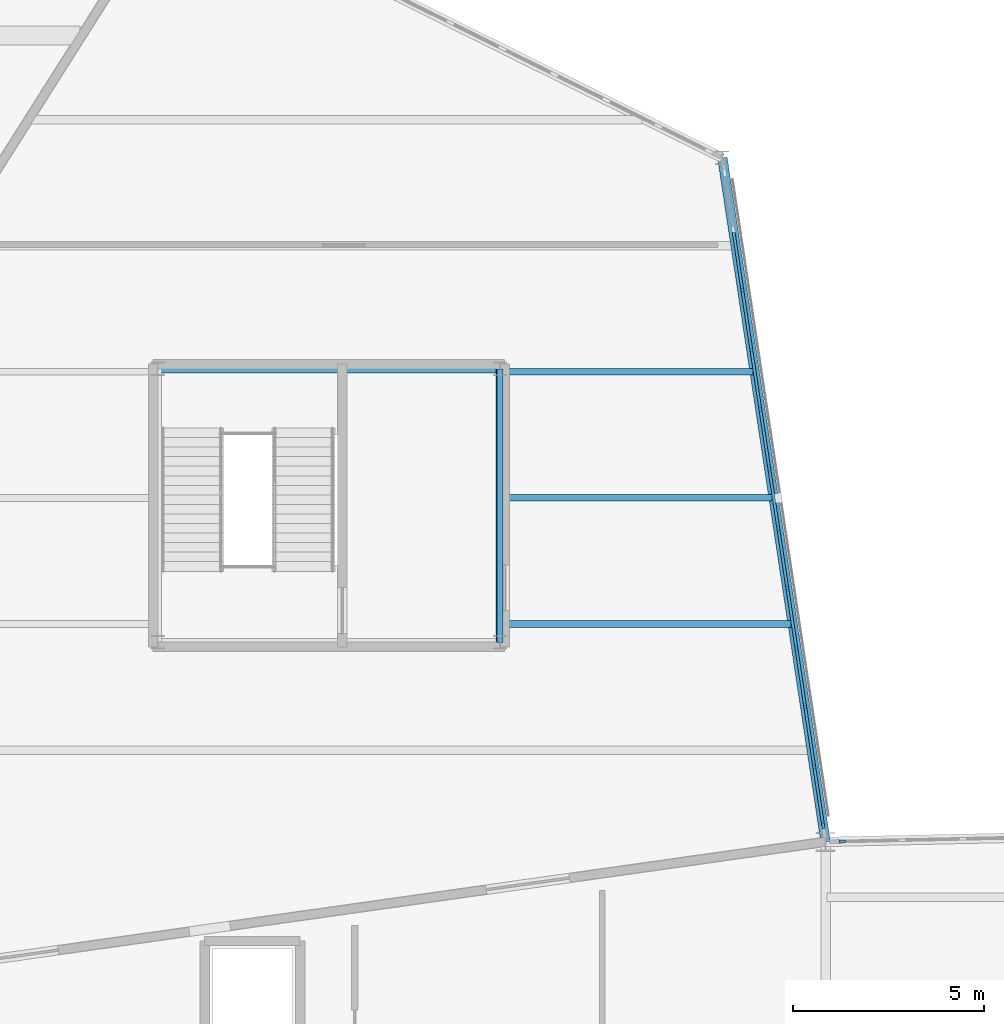
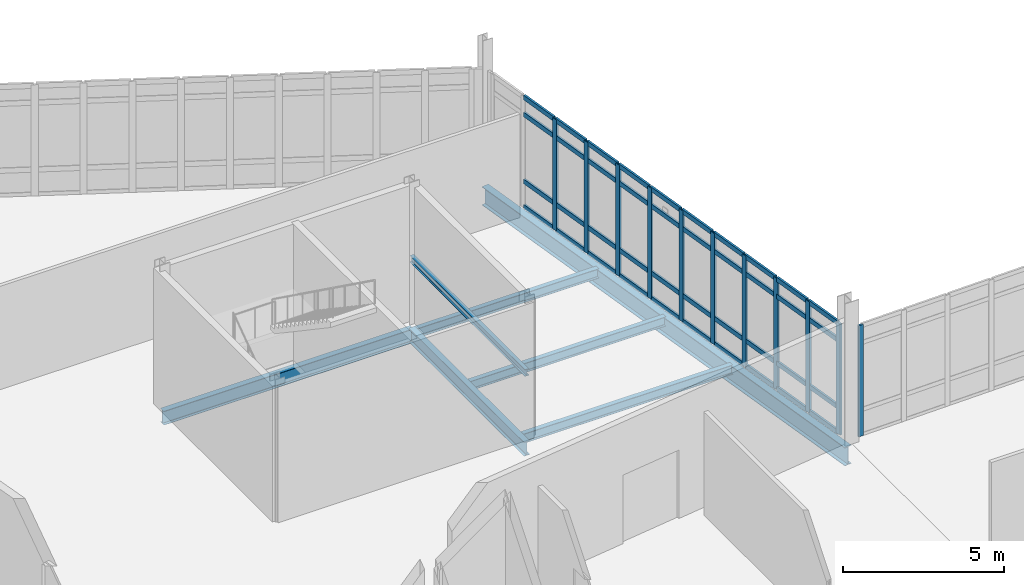
# One storey, part 38 of 113: 51 members, 7 beams, 2 elements without a shape of their own.
"""IFC4 building model written with IfcOpenShell, lengths in metres."""

from ifc_helpers import new_model, si_unit, direction, frame, origin, origin_2d, place, context, subcontext, project, spatial, rectangle, i_section, extrude, material, material_profile, profile_set, type_object, element, aggregate, save


model = new_model("IFC4")

# Units and contexts
model_context = context("Model", 3, precision=1e-05, world=origin(), true_north=direction((0.0, 1.0)))
body_context = subcontext(model_context, "Body", "Model", "MODEL_VIEW")
ifc_project = project(units=[si_unit("LENGTHUNIT", "METRE"), si_unit("AREAUNIT", "SQUARE_METRE"), si_unit("VOLUMEUNIT", "CUBIC_METRE"), si_unit("PLANEANGLEUNIT", "RADIAN"), si_unit("MASSUNIT", "GRAM", prefix="KILO")], contexts=[model_context])

# Site, building, storey
site_placement = place(None, origin())
site = spatial("IfcSite", under=ifc_project, at=site_placement, CompositionType="ELEMENT")
building_placement = place(site_placement, origin())
building = spatial("IfcBuilding", under=site, at=building_placement, Name="Tameran Prism Museum", CompositionType="ELEMENT")
storey_placement = place(building_placement, origin())
storey = spatial("IfcBuildingStorey", under=building, at=storey_placement, Name="L00", CompositionType="ELEMENT", Elevation=0.0)

# Beams
ifc_material_1 = material(Name="Steel Grade 300PLUS (300 MPa)", Category="steel")
ifc_material_profile_1 = material_profile(ifc_material_1, i_section(OverallWidth=0.172119140625, OverallDepth=0.35888671875, WebThickness=0.008056640625, FlangeThickness=0.012939453125, FilletRadius=0.011474609375, at=origin_2d()))
ifc_profile_set_1 = profile_set([ifc_material_profile_1])
beam_type_1 = type_object("IfcBeamType", Name="BM-J360A", PredefinedType="JOIST", material=ifc_profile_set_1)
beam_1_placement = place(storey_placement, frame((68.97998046875, 53.89990234375, -0.41943359375), z_axis=(1.0, 0.0, 0.0), x_axis=(0.0, 1.0, 0.0)))
element("IfcBeam", 1, at=beam_1_placement, inside=storey, type_object=beam_type_1, Name="Floor Beam BM-0220", PredefinedType="JOIST", context=body_context, shape_type="SweptSolid", body=[
    extrude(i_section(OverallWidth=0.172119140625, OverallDepth=0.35888671875, WebThickness=0.008056640625, FlangeThickness=0.012939453125, FilletRadius=0.011474609375, at=origin_2d()), origin(), (0.0, 0.0, 1.0), 7.6201171875),
])
beam_2_placement = place(storey_placement, frame((68.97998046875, 60.5, -0.41943359375), z_axis=(1.0, 0.0, 0.0), x_axis=(0.0, 1.0, 0.0)))
element("IfcBeam", 2, at=beam_2_placement, inside=storey, type_object=beam_type_1, Name="Floor Beam BM-0224", PredefinedType="JOIST", context=body_context, shape_type="SweptSolid", body=[
    extrude(i_section(OverallWidth=0.172119140625, OverallDepth=0.35888671875, WebThickness=0.008056640625, FlangeThickness=0.012939453125, FilletRadius=0.011474609375, at=origin_2d()), origin(), (0.0, 0.0, 1.0), 6.6240234375),
])
ifc_material_2 = material(Name="Steel Grade 300PLUS (300 MPa)", Category="steel")
ifc_material_profile_2 = material_profile(ifc_material_2, i_section(OverallWidth=0.1708984375, OverallDepth=0.35595703125, WebThickness=0.00732421875, FlangeThickness=0.011474609375, FilletRadius=0.011474609375, at=origin_2d()))
ifc_profile_set_2 = profile_set([ifc_material_profile_2])
beam_type_2 = type_object("IfcBeamType", Name="BM-J360B", PredefinedType="JOIST", material=ifc_profile_set_2)
beam_3_placement = place(storey_placement, frame((68.97998046875, 57.199951171875, -0.41796875), z_axis=(1.0, 0.0, 0.0), x_axis=(0.0, 1.0, 0.0)))
element("IfcBeam", 3, at=beam_3_placement, inside=storey, type_object=beam_type_2, Name="Floor Beam BM-0222", PredefinedType="JOIST", context=body_context, shape_type="SweptSolid", body=[
    extrude(i_section(OverallWidth=0.1708984375, OverallDepth=0.35595703125, WebThickness=0.00732421875, FlangeThickness=0.011474609375, FilletRadius=0.011474609375, at=origin_2d()), origin(), (0.0, 0.0, 1.0), 7.1220703125),
])
ifc_material_3 = material(Name="Steel Grade 300PLUS (300 MPa)", Category="steel")
ifc_material_profile_3 = material_profile(ifc_material_3, i_section(OverallWidth=0.14599609375, OverallDepth=0.256103515625, WebThickness=0.00634765625, FlangeThickness=0.010986328125, FilletRadius=0.0087890625, at=origin_2d()))
ifc_profile_set_3 = profile_set([ifc_material_profile_3])
beam_type_3 = type_object("IfcBeamType", Name="BM-L250", PredefinedType="LINTEL", material=ifc_profile_set_3)
beam_4_placement = place(storey_placement, frame((68.97998046875, 53.419921875, 2.3798828125), z_axis=(0.0, 1.0, 0.0), x_axis=(-1.0, 0.0, 0.0)))
element("IfcBeam", 4, at=beam_4_placement, inside=storey, type_object=beam_type_3, Name="Core Door Lintel LN-05", PredefinedType="LINTEL", context=body_context, shape_type="SweptSolid", body=[
    extrude(i_section(OverallWidth=0.14599609375, OverallDepth=0.256103515625, WebThickness=0.00634765625, FlangeThickness=0.010986328125, FilletRadius=0.0087890625, at=origin_2d()), origin(), (0.0, 0.0, 1.0), 7.16015625),
])
ifc_material_4 = material(Name="Steel Grade 300PLUS (300 MPa)", Category="steel")
ifc_material_profile_4 = material_profile(ifc_material_4, i_section(OverallWidth=0.208984375, OverallDepth=0.528076171875, WebThickness=0.009521484375, FlangeThickness=0.01318359375, FilletRadius=0.013916015625, at=origin_2d()))
ifc_profile_set_4 = profile_set([ifc_material_profile_4])
beam_type_4 = type_object("IfcBeamType", Name="BM-SP530B", PredefinedType="SPANDREL", material=ifc_profile_set_4)
beam_5_placement = place(storey_placement, frame((68.97998046875, 53.419921875, -0.50390625), z_axis=(0.0, 1.0, 0.0), x_axis=(-1.0, 0.0, 0.0)))
element("IfcBeam", 5, at=beam_5_placement, inside=storey, type_object=beam_type_4, Name="Core Ring Beam CTB-0119", PredefinedType="SPANDREL", context=body_context, shape_type="SweptSolid", body=[
    extrude(i_section(OverallWidth=0.208984375, OverallDepth=0.528076171875, WebThickness=0.009521484375, FlangeThickness=0.01318359375, FilletRadius=0.013916015625, at=origin_2d()), origin(), (0.0, 0.0, 1.0), 7.16015625),
])
beam_6_placement = place(storey_placement, frame((68.97998046875, 60.580078125, -0.50390625), z_axis=(-1.0, 0.0, 0.0), x_axis=(0.0, -1.0, 0.0)))
element("IfcBeam", 6, at=beam_6_placement, inside=storey, type_object=beam_type_4, Name="Core Ring Beam CTB-0120", PredefinedType="SPANDREL", context=body_context, shape_type="SweptSolid", body=[
    extrude(i_section(OverallWidth=0.208984375, OverallDepth=0.528076171875, WebThickness=0.009521484375, FlangeThickness=0.01318359375, FilletRadius=0.013916015625, at=origin_2d()), origin(), (0.0, 0.0, 1.0), 8.9599609375),
])
ifc_material_5 = material(Name="Steel Grade 350 (350 MPa)", Category="steel")
ifc_material_profile_5 = material_profile(ifc_material_5, i_section(OverallWidth=0.25, OverallDepth=0.699951171875, WebThickness=0.010009765625, FlangeThickness=0.02001953125, at=origin_2d()))
ifc_profile_set_5 = profile_set([ifc_material_profile_5])
beam_type_5 = type_object("IfcBeamType", Name="BM-SP700", PredefinedType="SPANDREL", material=ifc_profile_set_5)
beam_7_placement = place(storey_placement, frame((77.5, 48.199951171875, -0.590087890625), z_axis=(-0.149146954301, 0.988815041361, 0.0), x_axis=(-0.988815041361, -0.149146954301, 0.0)))
element("IfcBeam", 7, at=beam_7_placement, inside=storey, type_object=beam_type_5, Name="Perimeter Spandrel SP-0034", PredefinedType="SPANDREL", context=body_context, shape_type="SweptSolid", body=[
    extrude(i_section(OverallWidth=0.25, OverallDepth=0.699951171875, WebThickness=0.010009765625, FlangeThickness=0.02001953125, at=origin_2d()), origin(), (0.0, 0.0, 1.0), 18.1025390625),
])

# Curtain wall, member
ifc_material_6 = material(Name="Anodised Aluminium 6063-T6 and Cyclone Solar Glass", Category="aluminium")
curtain_wall_type_1 = type_object("IfcCurtainWallType", Name="CW-FAC-1754x422", PredefinedType="USERDEFINED", material=ifc_material_6)
curtain_wall_1_placement = place(storey_placement, origin())
curtain_wall_1 = element("IfcCurtainWall", 8, at=curtain_wall_1_placement, inside=storey, type_object=curtain_wall_type_1, Name="Unitised Curtain Wall CW-032", ObjectType="UNITISED CURTAIN WALL", PredefinedType="USERDEFINED")
ifc_material_7 = material(Name="Anodised Aluminium Alloy 6063-T6", Category="aluminium")
ifc_material_profile_6 = material_profile(ifc_material_7, rectangle(XDim=0.070068359375, YDim=0.179931640625, at=origin_2d()))
ifc_profile_set_6 = profile_set([ifc_material_profile_6])
member_type_1 = type_object("IfcMemberType", Name="CW-MUL-B", PredefinedType="MULLION", material=ifc_profile_set_6)
member_1_placement = place(storey_placement, frame((77.945068359375, 48.209716796875, 0.0), z_axis=(0.0, 0.0, 1.0), x_axis=(-0.021830600058, 0.999761684053, 0.0)))
member_1 = element("IfcMember", 9, at=member_1_placement, type_object=member_type_1, Name="CW-032 mullion 1", PredefinedType="MULLION", context=body_context, shape_type="SweptSolid", body=[
    extrude(rectangle(XDim=0.070068359375, YDim=0.179931640625, at=origin_2d()), origin(), (0.0, 0.0, 1.0), 4.219970703125),
])
aggregate(curtain_wall_1, [member_1])

# Curtain wall, members
ifc_material_8 = material(Name="Anodised Aluminium 6063-T6 and Cyclone Solar Glass", Category="aluminium")
curtain_wall_type_2 = type_object("IfcCurtainWallType", Name="CW-FAC-1734x422", PredefinedType="USERDEFINED", material=ifc_material_8)
curtain_wall_2_placement = place(storey_placement, origin())
curtain_wall_2 = element("IfcCurtainWall", 10, at=curtain_wall_2_placement, inside=storey, type_object=curtain_wall_type_2, Name="Unitised Curtain Wall CW-033", ObjectType="UNITISED CURTAIN WALL", PredefinedType="USERDEFINED")
ifc_material_9 = material(Name="Anodised Aluminium Alloy 6063-T6", Category="aluminium")
ifc_material_profile_7 = material_profile(ifc_material_9, rectangle(XDim=0.074951171875, YDim=0.199951171875, at=origin_2d()))
ifc_profile_set_7 = profile_set([ifc_material_profile_7])
member_type_2 = type_object("IfcMemberType", Name="CW-MUL-C", PredefinedType="MULLION", material=ifc_profile_set_7)
member_2_placement = place(storey_placement, frame((75.322265625, 62.635986328125, 0.0), z_axis=(0.0, 0.0, 1.0), x_axis=(0.988812088052, 0.149166532852, 0.0)))
member_2 = element("IfcMember", 11, at=member_2_placement, type_object=member_type_2, Name="CW-033 mullion 3", PredefinedType="MULLION", context=body_context, shape_type="SweptSolid", body=[
    extrude(rectangle(XDim=0.074951171875, YDim=0.199951171875, at=origin_2d()), origin(), (0.0, 0.0, 1.0), 4.219970703125),
])
member_3_placement = place(storey_placement, frame((75.5576171875, 61.076904296875, 0.0), z_axis=(0.0, 0.0, 1.0), x_axis=(0.988812088052, 0.149166532852, 0.0)))
member_3 = element("IfcMember", 12, at=member_3_placement, type_object=member_type_2, Name="CW-033 mullion 4", PredefinedType="MULLION", context=body_context, shape_type="SweptSolid", body=[
    extrude(rectangle(XDim=0.074951171875, YDim=0.199951171875, at=origin_2d()), origin(), (0.0, 0.0, 1.0), 4.219970703125),
])
member_4_placement = place(storey_placement, frame((75.792724609375, 59.51806640625, 0.0), z_axis=(0.0, 0.0, 1.0), x_axis=(0.988812088052, 0.149166532852, 0.0)))
member_4 = element("IfcMember", 13, at=member_4_placement, type_object=member_type_2, Name="CW-033 mullion 5", PredefinedType="MULLION", context=body_context, shape_type="SweptSolid", body=[
    extrude(rectangle(XDim=0.074951171875, YDim=0.199951171875, at=origin_2d()), origin(), (0.0, 0.0, 1.0), 4.219970703125),
])
member_5_placement = place(storey_placement, frame((76.02783203125, 57.958984375, 0.0), z_axis=(0.0, 0.0, 1.0), x_axis=(0.988812088052, 0.149166532852, 0.0)))
member_5 = element("IfcMember", 14, at=member_5_placement, type_object=member_type_2, Name="CW-033 mullion 6", PredefinedType="MULLION", context=body_context, shape_type="SweptSolid", body=[
    extrude(rectangle(XDim=0.074951171875, YDim=0.199951171875, at=origin_2d()), origin(), (0.0, 0.0, 1.0), 4.219970703125),
])
member_6_placement = place(storey_placement, frame((76.26318359375, 56.39990234375, 0.0), z_axis=(0.0, 0.0, 1.0), x_axis=(0.988812088052, 0.149166532852, 0.0)))
member_6 = element("IfcMember", 15, at=member_6_placement, type_object=member_type_2, Name="CW-033 mullion 7", PredefinedType="MULLION", context=body_context, shape_type="SweptSolid", body=[
    extrude(rectangle(XDim=0.074951171875, YDim=0.199951171875, at=origin_2d()), origin(), (0.0, 0.0, 1.0), 4.219970703125),
])
member_7_placement = place(storey_placement, frame((76.498291015625, 54.841064453125, 0.0), z_axis=(0.0, 0.0, 1.0), x_axis=(0.988812088052, 0.149166532852, 0.0)))
member_7 = element("IfcMember", 16, at=member_7_placement, type_object=member_type_2, Name="CW-033 mullion 8", PredefinedType="MULLION", context=body_context, shape_type="SweptSolid", body=[
    extrude(rectangle(XDim=0.074951171875, YDim=0.199951171875, at=origin_2d()), origin(), (0.0, 0.0, 1.0), 4.219970703125),
])
member_8_placement = place(storey_placement, frame((76.7333984375, 53.281982421875, 0.0), z_axis=(0.0, 0.0, 1.0), x_axis=(0.988812088052, 0.149166532852, 0.0)))
member_8 = element("IfcMember", 17, at=member_8_placement, type_object=member_type_2, Name="CW-033 mullion 9", PredefinedType="MULLION", context=body_context, shape_type="SweptSolid", body=[
    extrude(rectangle(XDim=0.074951171875, YDim=0.199951171875, at=origin_2d()), origin(), (0.0, 0.0, 1.0), 4.219970703125),
])
member_9_placement = place(storey_placement, frame((76.96875, 51.722900390625, 0.0), z_axis=(0.0, 0.0, 1.0), x_axis=(0.988812088052, 0.149166532852, 0.0)))
member_9 = element("IfcMember", 18, at=member_9_placement, type_object=member_type_2, Name="CW-033 mullion 10", PredefinedType="MULLION", context=body_context, shape_type="SweptSolid", body=[
    extrude(rectangle(XDim=0.074951171875, YDim=0.199951171875, at=origin_2d()), origin(), (0.0, 0.0, 1.0), 4.219970703125),
])
member_10_placement = place(storey_placement, frame((77.203857421875, 50.1640625, 0.0), z_axis=(0.0, 0.0, 1.0), x_axis=(0.988812088052, 0.149166532852, 0.0)))
member_10 = element("IfcMember", 19, at=member_10_placement, type_object=member_type_2, Name="CW-033 mullion 11", PredefinedType="MULLION", context=body_context, shape_type="SweptSolid", body=[
    extrude(rectangle(XDim=0.074951171875, YDim=0.199951171875, at=origin_2d()), origin(), (0.0, 0.0, 1.0), 4.219970703125),
])
member_11_placement = place(storey_placement, frame((77.433349609375, 48.64208984375, 0.0), z_axis=(0.0, 0.0, 1.0), x_axis=(0.988812088052, 0.149166532852, 0.0)))
member_11 = element("IfcMember", 20, at=member_11_placement, type_object=member_type_2, Name="CW-033 mullion 12", PredefinedType="MULLION", context=body_context, shape_type="SweptSolid", body=[
    extrude(rectangle(XDim=0.074951171875, YDim=0.199951171875, at=origin_2d()), origin(), (0.0, 0.0, 1.0), 4.219970703125),
])
ifc_material_10 = material(Name="Anodised Aluminium Alloy 6063-T6", Category="aluminium")
ifc_material_profile_8 = material_profile(ifc_material_10, rectangle(XDim=0.074951171875, YDim=0.175048828125, at=origin_2d()))
ifc_profile_set_8 = profile_set([ifc_material_profile_8])
member_type_3 = type_object("IfcMemberType", Name="CW-TRN-C", PredefinedType="USERDEFINED", material=ifc_profile_set_8)
member_12_placement = place(storey_placement, frame((75.0927734375, 64.157958984375, 0.03759765625), z_axis=(0.149087731447, -0.988823972369, 0.0), x_axis=(0.988823972369, 0.149087731447, 0.0)))
member_12 = element("IfcMember", 21, at=member_12_placement, type_object=member_type_3, Name="CW-033 transom 2.1", ObjectType="TRANSOM", PredefinedType="USERDEFINED", context=body_context, shape_type="SweptSolid", body=[
    extrude(rectangle(XDim=0.074951171875, YDim=0.175048828125, at=origin_2d()), origin(), (0.0, 0.0, 1.0), 1.501708984375),
])
member_13_placement = place(storey_placement, frame((75.0927734375, 64.157958984375, 1.0), z_axis=(0.149087731447, -0.988823972369, 0.0), x_axis=(0.988823972369, 0.149087731447, 0.0)))
member_13 = element("IfcMember", 22, at=member_13_placement, type_object=member_type_3, Name="CW-033 transom 2.2", ObjectType="TRANSOM", PredefinedType="USERDEFINED", context=body_context, shape_type="SweptSolid", body=[
    extrude(rectangle(XDim=0.074951171875, YDim=0.175048828125, at=origin_2d()), origin(), (0.0, 0.0, 1.0), 1.501708984375),
])
member_14_placement = place(storey_placement, frame((75.0927734375, 64.157958984375, 3.5400390625), z_axis=(0.149087731447, -0.988823972369, 0.0), x_axis=(0.988823972369, 0.149087731447, 0.0)))
member_14 = element("IfcMember", 23, at=member_14_placement, type_object=member_type_3, Name="CW-033 transom 2.3", ObjectType="TRANSOM", PredefinedType="USERDEFINED", context=body_context, shape_type="SweptSolid", body=[
    extrude(rectangle(XDim=0.074951171875, YDim=0.175048828125, at=origin_2d()), origin(), (0.0, 0.0, 1.0), 1.501708984375),
])
member_15_placement = place(storey_placement, frame((75.0927734375, 64.157958984375, 4.1826171875), z_axis=(0.149087731447, -0.988823972369, 0.0), x_axis=(0.988823972369, 0.149087731447, 0.0)))
member_15 = element("IfcMember", 24, at=member_15_placement, type_object=member_type_3, Name="CW-033 transom 2.4", ObjectType="TRANSOM", PredefinedType="USERDEFINED", context=body_context, shape_type="SweptSolid", body=[
    extrude(rectangle(XDim=0.074951171875, YDim=0.175048828125, at=origin_2d()), origin(), (0.0, 0.0, 1.0), 1.501708984375),
])
member_16_placement = place(storey_placement, frame((75.327880859375, 62.598876953125, 0.03759765625), z_axis=(0.149246693971, -0.988799992081, 0.0), x_axis=(0.988799992081, 0.149246693971, 0.0)))
member_16 = element("IfcMember", 25, at=member_16_placement, type_object=member_type_3, Name="CW-033 transom 3.1", ObjectType="TRANSOM", PredefinedType="USERDEFINED", context=body_context, shape_type="SweptSolid", body=[
    extrude(rectangle(XDim=0.074951171875, YDim=0.175048828125, at=origin_2d()), origin(), (0.0, 0.0, 1.0), 1.501708984375),
])
member_17_placement = place(storey_placement, frame((75.327880859375, 62.598876953125, 1.0), z_axis=(0.149246693971, -0.988799992081, 0.0), x_axis=(0.988799992081, 0.149246693971, 0.0)))
member_17 = element("IfcMember", 26, at=member_17_placement, type_object=member_type_3, Name="CW-033 transom 3.2", ObjectType="TRANSOM", PredefinedType="USERDEFINED", context=body_context, shape_type="SweptSolid", body=[
    extrude(rectangle(XDim=0.074951171875, YDim=0.175048828125, at=origin_2d()), origin(), (0.0, 0.0, 1.0), 1.501708984375),
])
member_18_placement = place(storey_placement, frame((75.327880859375, 62.598876953125, 3.5400390625), z_axis=(0.149246693971, -0.988799992081, 0.0), x_axis=(0.988799992081, 0.149246693971, 0.0)))
member_18 = element("IfcMember", 27, at=member_18_placement, type_object=member_type_3, Name="CW-033 transom 3.3", ObjectType="TRANSOM", PredefinedType="USERDEFINED", context=body_context, shape_type="SweptSolid", body=[
    extrude(rectangle(XDim=0.074951171875, YDim=0.175048828125, at=origin_2d()), origin(), (0.0, 0.0, 1.0), 1.501708984375),
])
member_19_placement = place(storey_placement, frame((75.327880859375, 62.598876953125, 4.1826171875), z_axis=(0.149246693971, -0.988799992081, 0.0), x_axis=(0.988799992081, 0.149246693971, 0.0)))
member_19 = element("IfcMember", 28, at=member_19_placement, type_object=member_type_3, Name="CW-033 transom 3.4", ObjectType="TRANSOM", PredefinedType="USERDEFINED", context=body_context, shape_type="SweptSolid", body=[
    extrude(rectangle(XDim=0.074951171875, YDim=0.175048828125, at=origin_2d()), origin(), (0.0, 0.0, 1.0), 1.501708984375),
])
member_20_placement = place(storey_placement, frame((75.563232421875, 61.0400390625, 0.03759765625), z_axis=(0.149087731447, -0.988823972369, 0.0), x_axis=(0.988823972369, 0.149087731447, 0.0)))
member_20 = element("IfcMember", 29, at=member_20_placement, type_object=member_type_3, Name="CW-033 transom 4.1", ObjectType="TRANSOM", PredefinedType="USERDEFINED", context=body_context, shape_type="SweptSolid", body=[
    extrude(rectangle(XDim=0.074951171875, YDim=0.175048828125, at=origin_2d()), origin(), (0.0, 0.0, 1.0), 1.501708984375),
])
member_21_placement = place(storey_placement, frame((75.563232421875, 61.0400390625, 1.0), z_axis=(0.149087731447, -0.988823972369, 0.0), x_axis=(0.988823972369, 0.149087731447, 0.0)))
member_21 = element("IfcMember", 30, at=member_21_placement, type_object=member_type_3, Name="CW-033 transom 4.2", ObjectType="TRANSOM", PredefinedType="USERDEFINED", context=body_context, shape_type="SweptSolid", body=[
    extrude(rectangle(XDim=0.074951171875, YDim=0.175048828125, at=origin_2d()), origin(), (0.0, 0.0, 1.0), 1.501708984375),
])
member_22_placement = place(storey_placement, frame((75.563232421875, 61.0400390625, 3.5400390625), z_axis=(0.149087731447, -0.988823972369, 0.0), x_axis=(0.988823972369, 0.149087731447, 0.0)))
member_22 = element("IfcMember", 31, at=member_22_placement, type_object=member_type_3, Name="CW-033 transom 4.3", ObjectType="TRANSOM", PredefinedType="USERDEFINED", context=body_context, shape_type="SweptSolid", body=[
    extrude(rectangle(XDim=0.074951171875, YDim=0.175048828125, at=origin_2d()), origin(), (0.0, 0.0, 1.0), 1.501708984375),
])
member_23_placement = place(storey_placement, frame((75.563232421875, 61.0400390625, 4.1826171875), z_axis=(0.149087731447, -0.988823972369, 0.0), x_axis=(0.988823972369, 0.149087731447, 0.0)))
member_23 = element("IfcMember", 32, at=member_23_placement, type_object=member_type_3, Name="CW-033 transom 4.4", ObjectType="TRANSOM", PredefinedType="USERDEFINED", context=body_context, shape_type="SweptSolid", body=[
    extrude(rectangle(XDim=0.074951171875, YDim=0.175048828125, at=origin_2d()), origin(), (0.0, 0.0, 1.0), 1.501708984375),
])
member_24_placement = place(storey_placement, frame((75.79833984375, 59.48095703125, 0.03759765625), z_axis=(0.149087731447, -0.988823972369, 0.0), x_axis=(0.988823972369, 0.149087731447, 0.0)))
member_24 = element("IfcMember", 33, at=member_24_placement, type_object=member_type_3, Name="CW-033 transom 5.1", ObjectType="TRANSOM", PredefinedType="USERDEFINED", context=body_context, shape_type="SweptSolid", body=[
    extrude(rectangle(XDim=0.074951171875, YDim=0.175048828125, at=origin_2d()), origin(), (0.0, 0.0, 1.0), 1.501708984375),
])
member_25_placement = place(storey_placement, frame((75.79833984375, 59.48095703125, 1.0), z_axis=(0.149087731447, -0.988823972369, 0.0), x_axis=(0.988823972369, 0.149087731447, 0.0)))
member_25 = element("IfcMember", 34, at=member_25_placement, type_object=member_type_3, Name="CW-033 transom 5.2", ObjectType="TRANSOM", PredefinedType="USERDEFINED", context=body_context, shape_type="SweptSolid", body=[
    extrude(rectangle(XDim=0.074951171875, YDim=0.175048828125, at=origin_2d()), origin(), (0.0, 0.0, 1.0), 1.501708984375),
])
member_26_placement = place(storey_placement, frame((75.79833984375, 59.48095703125, 3.5400390625), z_axis=(0.149087731447, -0.988823972369, 0.0), x_axis=(0.988823972369, 0.149087731447, 0.0)))
member_26 = element("IfcMember", 35, at=member_26_placement, type_object=member_type_3, Name="CW-033 transom 5.3", ObjectType="TRANSOM", PredefinedType="USERDEFINED", context=body_context, shape_type="SweptSolid", body=[
    extrude(rectangle(XDim=0.074951171875, YDim=0.175048828125, at=origin_2d()), origin(), (0.0, 0.0, 1.0), 1.501708984375),
])
member_27_placement = place(storey_placement, frame((75.79833984375, 59.48095703125, 4.1826171875), z_axis=(0.149087731447, -0.988823972369, 0.0), x_axis=(0.988823972369, 0.149087731447, 0.0)))
member_27 = element("IfcMember", 36, at=member_27_placement, type_object=member_type_3, Name="CW-033 transom 5.4", ObjectType="TRANSOM", PredefinedType="USERDEFINED", context=body_context, shape_type="SweptSolid", body=[
    extrude(rectangle(XDim=0.074951171875, YDim=0.175048828125, at=origin_2d()), origin(), (0.0, 0.0, 1.0), 1.501708984375),
])
member_28_placement = place(storey_placement, frame((76.033447265625, 57.921875, 0.03759765625), z_axis=(0.149246693971, -0.988799992081, 0.0), x_axis=(0.988799992081, 0.149246693971, 0.0)))
member_28 = element("IfcMember", 37, at=member_28_placement, type_object=member_type_3, Name="CW-033 transom 6.1", ObjectType="TRANSOM", PredefinedType="USERDEFINED", context=body_context, shape_type="SweptSolid", body=[
    extrude(rectangle(XDim=0.074951171875, YDim=0.175048828125, at=origin_2d()), origin(), (0.0, 0.0, 1.0), 1.501708984375),
])
member_29_placement = place(storey_placement, frame((76.033447265625, 57.921875, 1.0), z_axis=(0.149246693971, -0.988799992081, 0.0), x_axis=(0.988799992081, 0.149246693971, 0.0)))
member_29 = element("IfcMember", 38, at=member_29_placement, type_object=member_type_3, Name="CW-033 transom 6.2", ObjectType="TRANSOM", PredefinedType="USERDEFINED", context=body_context, shape_type="SweptSolid", body=[
    extrude(rectangle(XDim=0.074951171875, YDim=0.175048828125, at=origin_2d()), origin(), (0.0, 0.0, 1.0), 1.501708984375),
])
member_30_placement = place(storey_placement, frame((76.033447265625, 57.921875, 3.5400390625), z_axis=(0.149246693971, -0.988799992081, 0.0), x_axis=(0.988799992081, 0.149246693971, 0.0)))
member_30 = element("IfcMember", 39, at=member_30_placement, type_object=member_type_3, Name="CW-033 transom 6.3", ObjectType="TRANSOM", PredefinedType="USERDEFINED", context=body_context, shape_type="SweptSolid", body=[
    extrude(rectangle(XDim=0.074951171875, YDim=0.175048828125, at=origin_2d()), origin(), (0.0, 0.0, 1.0), 1.501708984375),
])
member_31_placement = place(storey_placement, frame((76.033447265625, 57.921875, 4.1826171875), z_axis=(0.149246693971, -0.988799992081, 0.0), x_axis=(0.988799992081, 0.149246693971, 0.0)))
member_31 = element("IfcMember", 40, at=member_31_placement, type_object=member_type_3, Name="CW-033 transom 6.4", ObjectType="TRANSOM", PredefinedType="USERDEFINED", context=body_context, shape_type="SweptSolid", body=[
    extrude(rectangle(XDim=0.074951171875, YDim=0.175048828125, at=origin_2d()), origin(), (0.0, 0.0, 1.0), 1.501708984375),
])
member_32_placement = place(storey_placement, frame((76.268798828125, 56.363037109375, 0.03759765625), z_axis=(0.149087731447, -0.988823972369, 0.0), x_axis=(0.988823972369, 0.149087731447, 0.0)))
member_32 = element("IfcMember", 41, at=member_32_placement, type_object=member_type_3, Name="CW-033 transom 7.1", ObjectType="TRANSOM", PredefinedType="USERDEFINED", context=body_context, shape_type="SweptSolid", body=[
    extrude(rectangle(XDim=0.074951171875, YDim=0.175048828125, at=origin_2d()), origin(), (0.0, 0.0, 1.0), 1.501708984375),
])
member_33_placement = place(storey_placement, frame((76.268798828125, 56.363037109375, 1.0), z_axis=(0.149087731447, -0.988823972369, 0.0), x_axis=(0.988823972369, 0.149087731447, 0.0)))
member_33 = element("IfcMember", 42, at=member_33_placement, type_object=member_type_3, Name="CW-033 transom 7.2", ObjectType="TRANSOM", PredefinedType="USERDEFINED", context=body_context, shape_type="SweptSolid", body=[
    extrude(rectangle(XDim=0.074951171875, YDim=0.175048828125, at=origin_2d()), origin(), (0.0, 0.0, 1.0), 1.501708984375),
])
member_34_placement = place(storey_placement, frame((76.268798828125, 56.363037109375, 3.5400390625), z_axis=(0.149087731447, -0.988823972369, 0.0), x_axis=(0.988823972369, 0.149087731447, 0.0)))
member_34 = element("IfcMember", 43, at=member_34_placement, type_object=member_type_3, Name="CW-033 transom 7.3", ObjectType="TRANSOM", PredefinedType="USERDEFINED", context=body_context, shape_type="SweptSolid", body=[
    extrude(rectangle(XDim=0.074951171875, YDim=0.175048828125, at=origin_2d()), origin(), (0.0, 0.0, 1.0), 1.501708984375),
])
member_35_placement = place(storey_placement, frame((76.268798828125, 56.363037109375, 4.1826171875), z_axis=(0.149087731447, -0.988823972369, 0.0), x_axis=(0.988823972369, 0.149087731447, 0.0)))
member_35 = element("IfcMember", 44, at=member_35_placement, type_object=member_type_3, Name="CW-033 transom 7.4", ObjectType="TRANSOM", PredefinedType="USERDEFINED", context=body_context, shape_type="SweptSolid", body=[
    extrude(rectangle(XDim=0.074951171875, YDim=0.175048828125, at=origin_2d()), origin(), (0.0, 0.0, 1.0), 1.501708984375),
])
member_36_placement = place(storey_placement, frame((76.50390625, 54.803955078125, 0.03759765625), z_axis=(0.149087731447, -0.988823972369, 0.0), x_axis=(0.988823972369, 0.149087731447, 0.0)))
member_36 = element("IfcMember", 45, at=member_36_placement, type_object=member_type_3, Name="CW-033 transom 8.1", ObjectType="TRANSOM", PredefinedType="USERDEFINED", context=body_context, shape_type="SweptSolid", body=[
    extrude(rectangle(XDim=0.074951171875, YDim=0.175048828125, at=origin_2d()), origin(), (0.0, 0.0, 1.0), 1.501708984375),
])
member_37_placement = place(storey_placement, frame((76.50390625, 54.803955078125, 1.0), z_axis=(0.149087731447, -0.988823972369, 0.0), x_axis=(0.988823972369, 0.149087731447, 0.0)))
member_37 = element("IfcMember", 46, at=member_37_placement, type_object=member_type_3, Name="CW-033 transom 8.2", ObjectType="TRANSOM", PredefinedType="USERDEFINED", context=body_context, shape_type="SweptSolid", body=[
    extrude(rectangle(XDim=0.074951171875, YDim=0.175048828125, at=origin_2d()), origin(), (0.0, 0.0, 1.0), 1.501708984375),
])
member_38_placement = place(storey_placement, frame((76.50390625, 54.803955078125, 3.5400390625), z_axis=(0.149087731447, -0.988823972369, 0.0), x_axis=(0.988823972369, 0.149087731447, 0.0)))
member_38 = element("IfcMember", 47, at=member_38_placement, type_object=member_type_3, Name="CW-033 transom 8.3", ObjectType="TRANSOM", PredefinedType="USERDEFINED", context=body_context, shape_type="SweptSolid", body=[
    extrude(rectangle(XDim=0.074951171875, YDim=0.175048828125, at=origin_2d()), origin(), (0.0, 0.0, 1.0), 1.501708984375),
])
member_39_placement = place(storey_placement, frame((76.50390625, 54.803955078125, 4.1826171875), z_axis=(0.149087731447, -0.988823972369, 0.0), x_axis=(0.988823972369, 0.149087731447, 0.0)))
member_39 = element("IfcMember", 48, at=member_39_placement, type_object=member_type_3, Name="CW-033 transom 8.4", ObjectType="TRANSOM", PredefinedType="USERDEFINED", context=body_context, shape_type="SweptSolid", body=[
    extrude(rectangle(XDim=0.074951171875, YDim=0.175048828125, at=origin_2d()), origin(), (0.0, 0.0, 1.0), 1.501708984375),
])
member_40_placement = place(storey_placement, frame((76.739013671875, 53.244873046875, 0.03759765625), z_axis=(0.149246693971, -0.988799992081, 0.0), x_axis=(0.988799992081, 0.149246693971, 0.0)))
member_40 = element("IfcMember", 49, at=member_40_placement, type_object=member_type_3, Name="CW-033 transom 9.1", ObjectType="TRANSOM", PredefinedType="USERDEFINED", context=body_context, shape_type="SweptSolid", body=[
    extrude(rectangle(XDim=0.074951171875, YDim=0.175048828125, at=origin_2d()), origin(), (0.0, 0.0, 1.0), 1.501708984375),
])
member_41_placement = place(storey_placement, frame((76.739013671875, 53.244873046875, 1.0), z_axis=(0.149246693971, -0.988799992081, 0.0), x_axis=(0.988799992081, 0.149246693971, 0.0)))
member_41 = element("IfcMember", 50, at=member_41_placement, type_object=member_type_3, Name="CW-033 transom 9.2", ObjectType="TRANSOM", PredefinedType="USERDEFINED", context=body_context, shape_type="SweptSolid", body=[
    extrude(rectangle(XDim=0.074951171875, YDim=0.175048828125, at=origin_2d()), origin(), (0.0, 0.0, 1.0), 1.501708984375),
])
member_42_placement = place(storey_placement, frame((76.739013671875, 53.244873046875, 3.5400390625), z_axis=(0.149246693971, -0.988799992081, 0.0), x_axis=(0.988799992081, 0.149246693971, 0.0)))
member_42 = element("IfcMember", 51, at=member_42_placement, type_object=member_type_3, Name="CW-033 transom 9.3", ObjectType="TRANSOM", PredefinedType="USERDEFINED", context=body_context, shape_type="SweptSolid", body=[
    extrude(rectangle(XDim=0.074951171875, YDim=0.175048828125, at=origin_2d()), origin(), (0.0, 0.0, 1.0), 1.501708984375),
])
member_43_placement = place(storey_placement, frame((76.739013671875, 53.244873046875, 4.1826171875), z_axis=(0.149246693971, -0.988799992081, 0.0), x_axis=(0.988799992081, 0.149246693971, 0.0)))
member_43 = element("IfcMember", 52, at=member_43_placement, type_object=member_type_3, Name="CW-033 transom 9.4", ObjectType="TRANSOM", PredefinedType="USERDEFINED", context=body_context, shape_type="SweptSolid", body=[
    extrude(rectangle(XDim=0.074951171875, YDim=0.175048828125, at=origin_2d()), origin(), (0.0, 0.0, 1.0), 1.501708984375),
])
member_44_placement = place(storey_placement, frame((76.97412109375, 51.68603515625, 0.03759765625), z_axis=(0.149246693971, -0.988799992081, 0.0), x_axis=(0.988799992081, 0.149246693971, 0.0)))
member_44 = element("IfcMember", 53, at=member_44_placement, type_object=member_type_3, Name="CW-033 transom 10.1", ObjectType="TRANSOM", PredefinedType="USERDEFINED", context=body_context, shape_type="SweptSolid", body=[
    extrude(rectangle(XDim=0.074951171875, YDim=0.175048828125, at=origin_2d()), origin(), (0.0, 0.0, 1.0), 1.501708984375),
])
member_45_placement = place(storey_placement, frame((76.97412109375, 51.68603515625, 1.0), z_axis=(0.149246693971, -0.988799992081, 0.0), x_axis=(0.988799992081, 0.149246693971, 0.0)))
member_45 = element("IfcMember", 54, at=member_45_placement, type_object=member_type_3, Name="CW-033 transom 10.2", ObjectType="TRANSOM", PredefinedType="USERDEFINED", context=body_context, shape_type="SweptSolid", body=[
    extrude(rectangle(XDim=0.074951171875, YDim=0.175048828125, at=origin_2d()), origin(), (0.0, 0.0, 1.0), 1.501708984375),
])
member_46_placement = place(storey_placement, frame((76.97412109375, 51.68603515625, 3.5400390625), z_axis=(0.149246693971, -0.988799992081, 0.0), x_axis=(0.988799992081, 0.149246693971, 0.0)))
member_46 = element("IfcMember", 55, at=member_46_placement, type_object=member_type_3, Name="CW-033 transom 10.3", ObjectType="TRANSOM", PredefinedType="USERDEFINED", context=body_context, shape_type="SweptSolid", body=[
    extrude(rectangle(XDim=0.074951171875, YDim=0.175048828125, at=origin_2d()), origin(), (0.0, 0.0, 1.0), 1.501708984375),
])
member_47_placement = place(storey_placement, frame((76.97412109375, 51.68603515625, 4.1826171875), z_axis=(0.149246693971, -0.988799992081, 0.0), x_axis=(0.988799992081, 0.149246693971, 0.0)))
member_47 = element("IfcMember", 56, at=member_47_placement, type_object=member_type_3, Name="CW-033 transom 10.4", ObjectType="TRANSOM", PredefinedType="USERDEFINED", context=body_context, shape_type="SweptSolid", body=[
    extrude(rectangle(XDim=0.074951171875, YDim=0.175048828125, at=origin_2d()), origin(), (0.0, 0.0, 1.0), 1.501708984375),
])
member_48_placement = place(storey_placement, frame((77.20947265625, 50.126953125, 0.03759765625), z_axis=(0.149074274055, -0.988826001284, 0.0), x_axis=(0.988826001284, 0.149074274055, 0.0)))
member_48 = element("IfcMember", 57, at=member_48_placement, type_object=member_type_3, Name="CW-033 transom 11.1", ObjectType="TRANSOM", PredefinedType="USERDEFINED", context=body_context, shape_type="SweptSolid", body=[
    extrude(rectangle(XDim=0.074951171875, YDim=0.175048828125, at=origin_2d()), origin(), (0.0, 0.0, 1.0), 1.464111328125),
])
member_49_placement = place(storey_placement, frame((77.20947265625, 50.126953125, 1.0), z_axis=(0.149074274055, -0.988826001284, 0.0), x_axis=(0.988826001284, 0.149074274055, 0.0)))
member_49 = element("IfcMember", 58, at=member_49_placement, type_object=member_type_3, Name="CW-033 transom 11.2", ObjectType="TRANSOM", PredefinedType="USERDEFINED", context=body_context, shape_type="SweptSolid", body=[
    extrude(rectangle(XDim=0.074951171875, YDim=0.175048828125, at=origin_2d()), origin(), (0.0, 0.0, 1.0), 1.464111328125),
])
member_50_placement = place(storey_placement, frame((77.20947265625, 50.126953125, 3.5400390625), z_axis=(0.149074274055, -0.988826001284, 0.0), x_axis=(0.988826001284, 0.149074274055, 0.0)))
member_50 = element("IfcMember", 59, at=member_50_placement, type_object=member_type_3, Name="CW-033 transom 11.3", ObjectType="TRANSOM", PredefinedType="USERDEFINED", context=body_context, shape_type="SweptSolid", body=[
    extrude(rectangle(XDim=0.074951171875, YDim=0.175048828125, at=origin_2d()), origin(), (0.0, 0.0, 1.0), 1.464111328125),
])
member_51_placement = place(storey_placement, frame((77.20947265625, 50.126953125, 4.1826171875), z_axis=(0.149074274055, -0.988826001284, 0.0), x_axis=(0.988826001284, 0.149074274055, 0.0)))
member_51 = element("IfcMember", 60, at=member_51_placement, type_object=member_type_3, Name="CW-033 transom 11.4", ObjectType="TRANSOM", PredefinedType="USERDEFINED", context=body_context, shape_type="SweptSolid", body=[
    extrude(rectangle(XDim=0.074951171875, YDim=0.175048828125, at=origin_2d()), origin(), (0.0, 0.0, 1.0), 1.464111328125),
])
aggregate(curtain_wall_2, [member_2, member_3, member_4, member_5, member_6, member_7, member_8, member_9, member_10, member_11, member_12, member_13, member_14, member_15, member_16, member_17, member_18, member_19, member_20, member_21, member_22, member_23, member_24, member_25, member_26, member_27, member_28, member_29, member_30, member_31, member_32, member_33, member_34, member_35, member_36, member_37, member_38, member_39, member_40, member_41, member_42, member_43, member_44, member_45, member_46, member_47, member_48, member_49, member_50, member_51])

save(model, "model.ifc")
